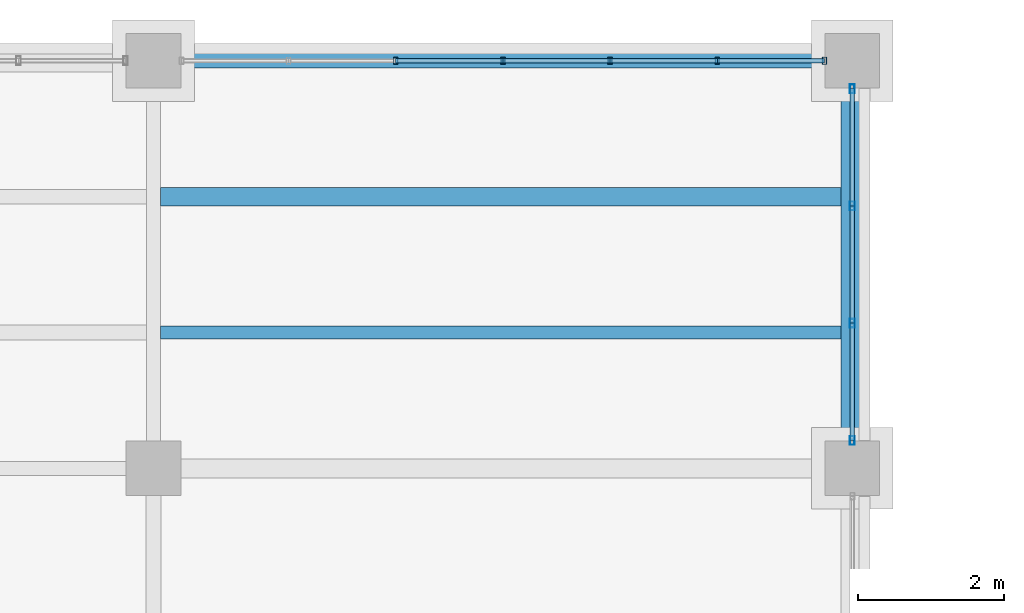
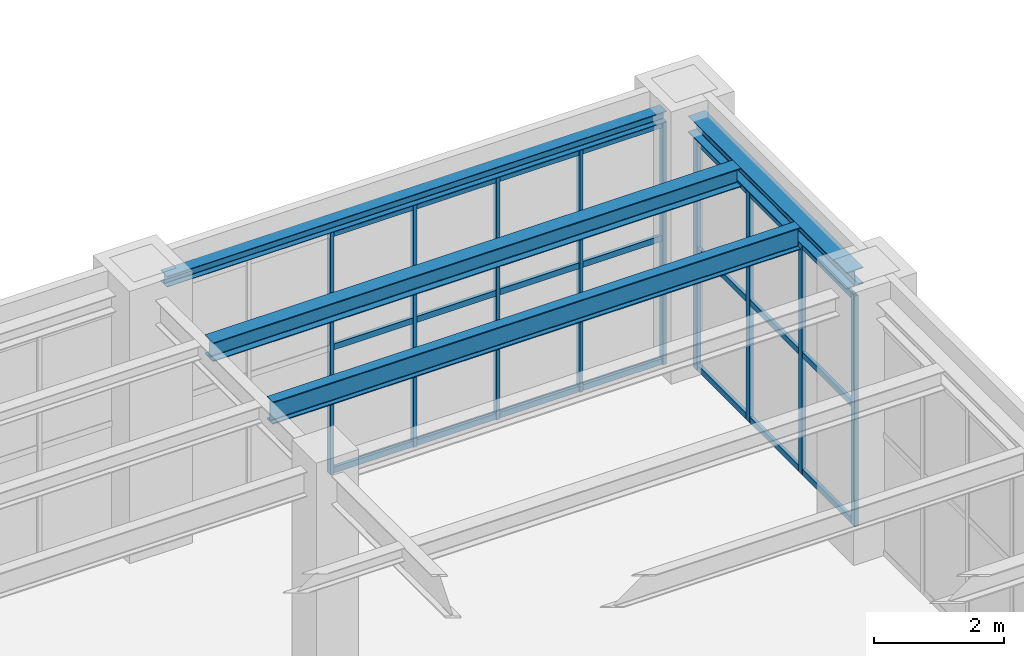
# One storey, part 81 of 174: 30 members, 4 beams, 2 elements without a shape of their own.
"""IFC4 building model written with IfcOpenShell, lengths in metres."""

from ifc_helpers import new_model, si_unit, direction, frame, origin, origin_2d, place, context, subcontext, project, spatial, hollow_rectangle, i_section, extrude, material, material_profile, profile_set, type_object, element, aggregate, save


model = new_model("IFC4")

# Units and contexts
model_context = context("Model", 3, precision=1e-05, world=origin(), true_north=direction((0.0, 1.0)))
body_context = subcontext(model_context, "Body", "Model", "MODEL_VIEW")
ifc_project = project(units=[si_unit("LENGTHUNIT", "METRE"), si_unit("AREAUNIT", "SQUARE_METRE"), si_unit("VOLUMEUNIT", "CUBIC_METRE"), si_unit("PLANEANGLEUNIT", "RADIAN"), si_unit("MASSUNIT", "GRAM", prefix="KILO")], contexts=[model_context])

# Site, building, storey
site_placement = place(None, origin())
site = spatial("IfcSite", under=ifc_project, at=site_placement, CompositionType="ELEMENT")
building_placement = place(site_placement, origin())
building = spatial("IfcBuilding", under=site, at=building_placement, Name="Mavantir Sound Aquarium", CompositionType="ELEMENT")
storey_placement = place(building_placement, frame((0.0, 0.0, 5.39990234375)))
storey = spatial("IfcBuildingStorey", under=building, at=storey_placement, Name="L01", CompositionType="ELEMENT", Elevation=5.39990234375)

# Beams
ifc_material_1 = material(Name="Structural Steel ASTM A992 Gr50", Category="steel")
ifc_material_profile_1 = material_profile(ifc_material_1, i_section(OverallWidth=0.202880859375, OverallDepth=0.202880859375, WebThickness=0.007080078125, FlangeThickness=0.010986328125, FilletRadius=0.010009765625, at=origin_2d()), Name="W200X46")
ifc_profile_set_1 = profile_set([ifc_material_profile_1], Name="Structural Steel ASTM A992 Gr50")
beam_type_1 = type_object("IfcBeamType", Name="BM-W200X46-E", PredefinedType="LINTEL", material=ifc_profile_set_1)
beam_1_placement = place(storey_placement, frame((29.175048828125, 116.0, 4.674560546875), z_axis=(1.0, 0.0, 0.0), x_axis=(0.0, 1.0, 0.0)))
element("IfcBeam", 1, at=beam_1_placement, inside=storey, type_object=beam_type_1, Name="L01 primary beam SL-20 1376", PredefinedType="LINTEL", context=body_context, shape_type="SweptSolid", body=[
    extrude(i_section(OverallWidth=0.202880859375, OverallDepth=0.202880859375, WebThickness=0.007080078125, FlangeThickness=0.010986328125, FilletRadius=0.010009765625, at=origin_2d()), origin(), (0.0, 0.0, 1.0), 8.849853515625),
])
ifc_material_profile_2 = material_profile(ifc_material_1, i_section(OverallWidth=0.304931640625, OverallDepth=0.30810546875, WebThickness=0.010009765625, FlangeThickness=0.015380859375, FilletRadius=0.014892578125, at=origin_2d()), Name="W310X97")
ifc_profile_set_2 = profile_set([ifc_material_profile_2], Name="Structural Steel ASTM A992 Gr50")
beam_type_2 = type_object("IfcBeamType", Name="BM-W310X97-E", PredefinedType="SPANDREL", material=ifc_profile_set_2)
beam_2_placement = place(storey_placement, frame((38.39990234375, 110.77490234375, 4.6220703125), z_axis=(0.0, 1.0, 0.0), x_axis=(-1.0, 0.0, 0.0)))
element("IfcBeam", 2, at=beam_2_placement, inside=storey, type_object=beam_type_2, Name="L01 primary girder SS-31A 1396", PredefinedType="SPANDREL", context=body_context, shape_type="SweptSolid", body=[
    extrude(i_section(OverallWidth=0.304931640625, OverallDepth=0.30810546875, WebThickness=0.010009765625, FlangeThickness=0.015380859375, FilletRadius=0.014892578125, at=origin_2d()), origin(), (0.0, 0.0, 1.0), 4.85009765625),
])
ifc_material_profile_3 = material_profile(ifc_material_1, i_section(OverallWidth=0.25390625, OverallDepth=0.35302734375, WebThickness=0.009521484375, FlangeThickness=0.016357421875, FilletRadius=0.014892578125, at=origin_2d()), Name="W360X91")
ifc_profile_set_3 = profile_set([ifc_material_profile_3], Name="Structural Steel ASTM A992 Gr50")
beam_type_3 = type_object("IfcBeamType", Name="BM-W360X91-I", PredefinedType="JOIST", material=ifc_profile_set_3)
beam_3_placement = place(storey_placement, frame((28.89697265625, 114.13330078125, 4.599609375), z_axis=(1.0, 0.0, 0.0), x_axis=(0.0, 1.0, 0.0)))
element("IfcBeam", 3, at=beam_3_placement, inside=storey, type_object=beam_type_3, Name="L01 secondary floor joist SJ-36 830", PredefinedType="JOIST", context=body_context, shape_type="SweptSolid", body=[
    extrude(i_section(OverallWidth=0.25390625, OverallDepth=0.35302734375, WebThickness=0.009521484375, FlangeThickness=0.016357421875, FilletRadius=0.014892578125, at=origin_2d()), origin(), (0.0, 0.0, 1.0), 9.3505859375),
])
ifc_material_profile_4 = material_profile(ifc_material_1, i_section(OverallWidth=0.180908203125, OverallDepth=0.4169921875, WebThickness=0.010986328125, FlangeThickness=0.018310546875, FilletRadius=0.014892578125, at=origin_2d()), Name="W410X85")
ifc_profile_set_4 = profile_set([ifc_material_profile_4], Name="Structural Steel ASTM A992 Gr50")
beam_type_4 = type_object("IfcBeamType", Name="BM-W410X85-I", PredefinedType="JOIST", material=ifc_profile_set_4)
beam_4_placement = place(storey_placement, frame((28.89697265625, 112.2666015625, 4.567626953125), z_axis=(1.0, 0.0, 0.0), x_axis=(0.0, 1.0, 0.0)))
element("IfcBeam", 4, at=beam_4_placement, inside=storey, type_object=beam_type_4, Name="L01 secondary floor joist SJ-41 829", PredefinedType="JOIST", context=body_context, shape_type="SweptSolid", body=[
    extrude(i_section(OverallWidth=0.180908203125, OverallDepth=0.4169921875, WebThickness=0.010986328125, FlangeThickness=0.018310546875, FilletRadius=0.014892578125, at=origin_2d()), origin(), (0.0, 0.0, 1.0), 9.3505859375),
])

# Curtain wall, members
ifc_material_2 = material(Name="Anodised Marine Aluminium and Low-E Glass", Category="aluminium")
curtain_wall_type_1 = type_object("IfcCurtainWallType", Name="CW-T21", PredefinedType="USERDEFINED", material=ifc_material_2)
curtain_wall_1_placement = place(storey_placement, origin())
curtain_wall_1 = element("IfcCurtainWall", 5, at=curtain_wall_1_placement, inside=storey, type_object=curtain_wall_type_1, Name="L01 unitised curtain wall CW-21 117", ObjectType="UNITISED GLAZING", PredefinedType="USERDEFINED")
ifc_material_3 = material(Name="Anodised Marine Aluminium 6063-T6", Category="aluminium")
ifc_material_profile_5 = material_profile(ifc_material_3, hollow_rectangle(XDim=0.06005859375, YDim=0.10009765625, WallThickness=0.00390625, at=origin_2d()), Name="ALU-MULLION-100X60")
ifc_profile_set_5 = profile_set([ifc_material_profile_5], Name="Anodised Marine Aluminium 6063-T6")
member_type_1 = type_object("IfcMemberType", Name="CW-MUL-100", PredefinedType="MULLION", material=ifc_profile_set_5)
member_1_placement = place(storey_placement, frame((38.01708984375, 116.0, 0.0), z_axis=(0.0, 0.0, 1.0), x_axis=(1.0, 0.0, 0.0)))
member_1 = element("IfcMember", 6, at=member_1_placement, type_object=member_type_1, Name="CW-L01-117 vertical mullion 1", PredefinedType="MULLION", context=body_context, shape_type="SweptSolid", body=[
    extrude(hollow_rectangle(XDim=0.06005859375, YDim=0.10009765625, WallThickness=0.00390625, at=origin_2d()), origin(), (0.0, 0.0, 1.0), 4.543212890625),
])
member_2_placement = place(storey_placement, frame((36.544677734375, 116.0, 0.0), z_axis=(0.0, 0.0, 1.0), x_axis=(1.0, 0.0, 0.0)))
member_2 = element("IfcMember", 7, at=member_2_placement, type_object=member_type_1, Name="CW-L01-117 vertical mullion 2", PredefinedType="MULLION", context=body_context, shape_type="SweptSolid", body=[
    extrude(hollow_rectangle(XDim=0.06005859375, YDim=0.10009765625, WallThickness=0.00390625, at=origin_2d()), origin(), (0.0, 0.0, 1.0), 4.543212890625),
])
member_3_placement = place(storey_placement, frame((35.072265625, 116.0, 0.0), z_axis=(0.0, 0.0, 1.0), x_axis=(1.0, 0.0, 0.0)))
member_3 = element("IfcMember", 8, at=member_3_placement, type_object=member_type_1, Name="CW-L01-117 vertical mullion 3", PredefinedType="MULLION", context=body_context, shape_type="SweptSolid", body=[
    extrude(hollow_rectangle(XDim=0.06005859375, YDim=0.10009765625, WallThickness=0.00390625, at=origin_2d()), origin(), (0.0, 0.0, 1.0), 4.543212890625),
])
member_4_placement = place(storey_placement, frame((33.60009765625, 116.0, 0.0), z_axis=(0.0, 0.0, 1.0), x_axis=(1.0, 0.0, 0.0)))
member_4 = element("IfcMember", 9, at=member_4_placement, type_object=member_type_1, Name="CW-L01-117 vertical mullion 4", PredefinedType="MULLION", context=body_context, shape_type="SweptSolid", body=[
    extrude(hollow_rectangle(XDim=0.06005859375, YDim=0.10009765625, WallThickness=0.00390625, at=origin_2d()), origin(), (0.0, 0.0, 1.0), 4.543212890625),
])
member_5_placement = place(storey_placement, frame((32.127685546875, 116.0, 0.0), z_axis=(0.0, 0.0, 1.0), x_axis=(1.0, 0.0, 0.0)))
member_5 = element("IfcMember", 10, at=member_5_placement, type_object=member_type_1, Name="CW-L01-117 vertical mullion 5", PredefinedType="MULLION", context=body_context, shape_type="SweptSolid", body=[
    extrude(hollow_rectangle(XDim=0.06005859375, YDim=0.10009765625, WallThickness=0.00390625, at=origin_2d()), origin(), (0.0, 0.0, 1.0), 4.543212890625),
])

curtain_wall_type_2 = type_object("IfcCurtainWallType", Name="CW-T20", PredefinedType="USERDEFINED", material=ifc_material_2)
curtain_wall_2_placement = place(storey_placement, origin())
curtain_wall_2 = element("IfcCurtainWall", 11, at=curtain_wall_2_placement, inside=storey, type_object=curtain_wall_type_2, Name="L01 unitised curtain wall CW-20 116", ObjectType="UNITISED GLAZING", PredefinedType="USERDEFINED")
ifc_material_profile_6 = material_profile(ifc_material_3, hollow_rectangle(XDim=0.06494140625, YDim=0.1201171875, WallThickness=0.00390625, at=origin_2d()), Name="ALU-MULLION-120X65")
ifc_profile_set_6 = profile_set([ifc_material_profile_6], Name="Anodised Marine Aluminium 6063-T6")
member_type_2 = type_object("IfcMemberType", Name="CW-MUL-120", PredefinedType="MULLION", material=ifc_profile_set_6)
member_6_placement = place(storey_placement, frame((38.39990234375, 110.782958984375, 0.0), z_axis=(0.0, 0.0, 1.0), x_axis=(1.0, 0.0, 0.0)))
member_6 = element("IfcMember", 12, at=member_6_placement, type_object=member_type_2, Name="CW-L01-116 vertical mullion 1", PredefinedType="MULLION", context=body_context, shape_type="SweptSolid", body=[
    extrude(hollow_rectangle(XDim=0.06494140625, YDim=0.1201171875, WallThickness=0.00390625, at=origin_2d()), origin(), (0.0, 0.0, 1.0), 4.3291015625),
])
member_7_placement = place(storey_placement, frame((38.39990234375, 112.394287109375, 0.0), z_axis=(0.0, 0.0, 1.0), x_axis=(1.0, 0.0, 0.0)))
member_7 = element("IfcMember", 13, at=member_7_placement, type_object=member_type_2, Name="CW-L01-116 vertical mullion 2", PredefinedType="MULLION", context=body_context, shape_type="SweptSolid", body=[
    extrude(hollow_rectangle(XDim=0.06494140625, YDim=0.1201171875, WallThickness=0.00390625, at=origin_2d()), origin(), (0.0, 0.0, 1.0), 4.3291015625),
])
member_8_placement = place(storey_placement, frame((38.39990234375, 114.005615234375, 0.0), z_axis=(0.0, 0.0, 1.0), x_axis=(1.0, 0.0, 0.0)))
member_8 = element("IfcMember", 14, at=member_8_placement, type_object=member_type_2, Name="CW-L01-116 vertical mullion 3", PredefinedType="MULLION", context=body_context, shape_type="SweptSolid", body=[
    extrude(hollow_rectangle(XDim=0.06494140625, YDim=0.1201171875, WallThickness=0.00390625, at=origin_2d()), origin(), (0.0, 0.0, 1.0), 4.3291015625),
])
member_9_placement = place(storey_placement, frame((38.39990234375, 115.616943359375, 0.0), z_axis=(0.0, 0.0, 1.0), x_axis=(1.0, 0.0, 0.0)))
member_9 = element("IfcMember", 15, at=member_9_placement, type_object=member_type_2, Name="CW-L01-116 vertical mullion 4", PredefinedType="MULLION", context=body_context, shape_type="SweptSolid", body=[
    extrude(hollow_rectangle(XDim=0.06494140625, YDim=0.1201171875, WallThickness=0.00390625, at=origin_2d()), origin(), (0.0, 0.0, 1.0), 4.3291015625),
])
ifc_material_profile_7 = material_profile(ifc_material_3, hollow_rectangle(XDim=0.06005859375, YDim=0.110107421875, WallThickness=0.00390625, at=origin_2d()), Name="ALU-TRANSOM-110X60")
ifc_profile_set_7 = profile_set([ifc_material_profile_7], Name="Anodised Marine Aluminium 6063-T6")
member_type_3 = type_object("IfcMemberType", Name="CW-TRN-110", PredefinedType="USERDEFINED", material=ifc_profile_set_7)
member_10_placement = place(storey_placement, frame((38.39990234375, 110.782958984375, 0.05517578125), z_axis=(0.0, 1.0, 0.0), x_axis=(-1.0, 0.0, 0.0)))
member_10 = element("IfcMember", 16, at=member_10_placement, type_object=member_type_3, Name="CW-L01-116 transom 1.1", ObjectType="TRANSOM", PredefinedType="USERDEFINED", context=body_context, shape_type="SweptSolid", body=[
    extrude(hollow_rectangle(XDim=0.06005859375, YDim=0.110107421875, WallThickness=0.00390625, at=origin_2d()), origin(), (0.0, 0.0, 1.0), 1.611328125),
])
member_11_placement = place(storey_placement, frame((38.39990234375, 110.782958984375, 2.251220703125), z_axis=(0.0, 1.0, 0.0), x_axis=(-1.0, 0.0, 0.0)))
member_11 = element("IfcMember", 17, at=member_11_placement, type_object=member_type_3, Name="CW-L01-116 transom 1.2", ObjectType="TRANSOM", PredefinedType="USERDEFINED", context=body_context, shape_type="SweptSolid", body=[
    extrude(hollow_rectangle(XDim=0.06005859375, YDim=0.110107421875, WallThickness=0.00390625, at=origin_2d()), origin(), (0.0, 0.0, 1.0), 1.611328125),
])
member_12_placement = place(storey_placement, frame((38.39990234375, 110.782958984375, 4.274169921875), z_axis=(0.0, 1.0, 0.0), x_axis=(-1.0, 0.0, 0.0)))
member_12 = element("IfcMember", 18, at=member_12_placement, type_object=member_type_3, Name="CW-L01-116 transom 1.3", ObjectType="TRANSOM", PredefinedType="USERDEFINED", context=body_context, shape_type="SweptSolid", body=[
    extrude(hollow_rectangle(XDim=0.06005859375, YDim=0.110107421875, WallThickness=0.00390625, at=origin_2d()), origin(), (0.0, 0.0, 1.0), 1.611328125),
])
member_13_placement = place(storey_placement, frame((38.39990234375, 112.394287109375, 0.05517578125), z_axis=(0.0, 1.0, 0.0), x_axis=(-1.0, 0.0, 0.0)))
member_13 = element("IfcMember", 19, at=member_13_placement, type_object=member_type_3, Name="CW-L01-116 transom 2.1", ObjectType="TRANSOM", PredefinedType="USERDEFINED", context=body_context, shape_type="SweptSolid", body=[
    extrude(hollow_rectangle(XDim=0.06005859375, YDim=0.110107421875, WallThickness=0.00390625, at=origin_2d()), origin(), (0.0, 0.0, 1.0), 1.611328125),
])
member_14_placement = place(storey_placement, frame((38.39990234375, 112.394287109375, 2.251220703125), z_axis=(0.0, 1.0, 0.0), x_axis=(-1.0, 0.0, 0.0)))
member_14 = element("IfcMember", 20, at=member_14_placement, type_object=member_type_3, Name="CW-L01-116 transom 2.2", ObjectType="TRANSOM", PredefinedType="USERDEFINED", context=body_context, shape_type="SweptSolid", body=[
    extrude(hollow_rectangle(XDim=0.06005859375, YDim=0.110107421875, WallThickness=0.00390625, at=origin_2d()), origin(), (0.0, 0.0, 1.0), 1.611328125),
])
member_15_placement = place(storey_placement, frame((38.39990234375, 112.394287109375, 4.274169921875), z_axis=(0.0, 1.0, 0.0), x_axis=(-1.0, 0.0, 0.0)))
member_15 = element("IfcMember", 21, at=member_15_placement, type_object=member_type_3, Name="CW-L01-116 transom 2.3", ObjectType="TRANSOM", PredefinedType="USERDEFINED", context=body_context, shape_type="SweptSolid", body=[
    extrude(hollow_rectangle(XDim=0.06005859375, YDim=0.110107421875, WallThickness=0.00390625, at=origin_2d()), origin(), (0.0, 0.0, 1.0), 1.611328125),
])
member_16_placement = place(storey_placement, frame((38.39990234375, 114.005615234375, 0.05517578125), z_axis=(0.0, 1.0, 0.0), x_axis=(-1.0, 0.0, 0.0)))
member_16 = element("IfcMember", 22, at=member_16_placement, type_object=member_type_3, Name="CW-L01-116 transom 3.1", ObjectType="TRANSOM", PredefinedType="USERDEFINED", context=body_context, shape_type="SweptSolid", body=[
    extrude(hollow_rectangle(XDim=0.06005859375, YDim=0.110107421875, WallThickness=0.00390625, at=origin_2d()), origin(), (0.0, 0.0, 1.0), 1.611328125),
])
member_17_placement = place(storey_placement, frame((38.39990234375, 114.005615234375, 2.251220703125), z_axis=(0.0, 1.0, 0.0), x_axis=(-1.0, 0.0, 0.0)))
member_17 = element("IfcMember", 23, at=member_17_placement, type_object=member_type_3, Name="CW-L01-116 transom 3.2", ObjectType="TRANSOM", PredefinedType="USERDEFINED", context=body_context, shape_type="SweptSolid", body=[
    extrude(hollow_rectangle(XDim=0.06005859375, YDim=0.110107421875, WallThickness=0.00390625, at=origin_2d()), origin(), (0.0, 0.0, 1.0), 1.611328125),
])
member_18_placement = place(storey_placement, frame((38.39990234375, 114.005615234375, 4.274169921875), z_axis=(0.0, 1.0, 0.0), x_axis=(-1.0, 0.0, 0.0)))
member_18 = element("IfcMember", 24, at=member_18_placement, type_object=member_type_3, Name="CW-L01-116 transom 3.3", ObjectType="TRANSOM", PredefinedType="USERDEFINED", context=body_context, shape_type="SweptSolid", body=[
    extrude(hollow_rectangle(XDim=0.06005859375, YDim=0.110107421875, WallThickness=0.00390625, at=origin_2d()), origin(), (0.0, 0.0, 1.0), 1.611328125),
])
aggregate(curtain_wall_2, [member_6, member_7, member_8, member_9, member_10, member_11, member_12, member_13, member_14, member_15, member_16, member_17, member_18])

# Member
member_19_placement = place(storey_placement, frame((38.01708984375, 116.0, 0.05517578125), z_axis=(-1.0, 0.0, 0.0), x_axis=(0.0, -1.0, 0.0)))
member_19 = element("IfcMember", 25, at=member_19_placement, type_object=member_type_3, Name="CW-L01-117 transom 1.1", ObjectType="TRANSOM", PredefinedType="USERDEFINED", context=body_context, shape_type="SweptSolid", body=[
    extrude(hollow_rectangle(XDim=0.06005859375, YDim=0.110107421875, WallThickness=0.00390625, at=origin_2d()), origin(), (0.0, 0.0, 1.0), 1.472412109375),
])

member_20_placement = place(storey_placement, frame((38.01708984375, 116.0, 2.362548828125), z_axis=(-1.0, 0.0, 0.0), x_axis=(0.0, -1.0, 0.0)))
member_20 = element("IfcMember", 26, at=member_20_placement, type_object=member_type_3, Name="CW-L01-117 transom 1.2", ObjectType="TRANSOM", PredefinedType="USERDEFINED", context=body_context, shape_type="SweptSolid", body=[
    extrude(hollow_rectangle(XDim=0.06005859375, YDim=0.110107421875, WallThickness=0.00390625, at=origin_2d()), origin(), (0.0, 0.0, 1.0), 1.472412109375),
])

member_21_placement = place(storey_placement, frame((38.01708984375, 116.0, 4.488037109375), z_axis=(-1.0, 0.0, 0.0), x_axis=(0.0, -1.0, 0.0)))
member_21 = element("IfcMember", 27, at=member_21_placement, type_object=member_type_3, Name="CW-L01-117 transom 1.3", ObjectType="TRANSOM", PredefinedType="USERDEFINED", context=body_context, shape_type="SweptSolid", body=[
    extrude(hollow_rectangle(XDim=0.06005859375, YDim=0.110107421875, WallThickness=0.00390625, at=origin_2d()), origin(), (0.0, 0.0, 1.0), 1.472412109375),
])

member_22_placement = place(storey_placement, frame((36.544677734375, 116.0, 0.05517578125), z_axis=(-1.0, 0.0, 0.0), x_axis=(0.0, -1.0, 0.0)))
member_22 = element("IfcMember", 28, at=member_22_placement, type_object=member_type_3, Name="CW-L01-117 transom 2.1", ObjectType="TRANSOM", PredefinedType="USERDEFINED", context=body_context, shape_type="SweptSolid", body=[
    extrude(hollow_rectangle(XDim=0.06005859375, YDim=0.110107421875, WallThickness=0.00390625, at=origin_2d()), origin(), (0.0, 0.0, 1.0), 1.472412109375),
])

member_23_placement = place(storey_placement, frame((36.544677734375, 116.0, 2.362548828125), z_axis=(-1.0, 0.0, 0.0), x_axis=(0.0, -1.0, 0.0)))
member_23 = element("IfcMember", 29, at=member_23_placement, type_object=member_type_3, Name="CW-L01-117 transom 2.2", ObjectType="TRANSOM", PredefinedType="USERDEFINED", context=body_context, shape_type="SweptSolid", body=[
    extrude(hollow_rectangle(XDim=0.06005859375, YDim=0.110107421875, WallThickness=0.00390625, at=origin_2d()), origin(), (0.0, 0.0, 1.0), 1.472412109375),
])

member_24_placement = place(storey_placement, frame((36.544677734375, 116.0, 4.488037109375), z_axis=(-1.0, 0.0, 0.0), x_axis=(0.0, -1.0, 0.0)))
member_24 = element("IfcMember", 30, at=member_24_placement, type_object=member_type_3, Name="CW-L01-117 transom 2.3", ObjectType="TRANSOM", PredefinedType="USERDEFINED", context=body_context, shape_type="SweptSolid", body=[
    extrude(hollow_rectangle(XDim=0.06005859375, YDim=0.110107421875, WallThickness=0.00390625, at=origin_2d()), origin(), (0.0, 0.0, 1.0), 1.472412109375),
])

member_25_placement = place(storey_placement, frame((35.072265625, 116.0, 0.05517578125), z_axis=(-1.0, 0.0, 0.0), x_axis=(0.0, -1.0, 0.0)))
member_25 = element("IfcMember", 31, at=member_25_placement, type_object=member_type_3, Name="CW-L01-117 transom 3.1", ObjectType="TRANSOM", PredefinedType="USERDEFINED", context=body_context, shape_type="SweptSolid", body=[
    extrude(hollow_rectangle(XDim=0.06005859375, YDim=0.110107421875, WallThickness=0.00390625, at=origin_2d()), origin(), (0.0, 0.0, 1.0), 1.47216796875),
])

member_26_placement = place(storey_placement, frame((35.072265625, 116.0, 2.362548828125), z_axis=(-1.0, 0.0, 0.0), x_axis=(0.0, -1.0, 0.0)))
member_26 = element("IfcMember", 32, at=member_26_placement, type_object=member_type_3, Name="CW-L01-117 transom 3.2", ObjectType="TRANSOM", PredefinedType="USERDEFINED", context=body_context, shape_type="SweptSolid", body=[
    extrude(hollow_rectangle(XDim=0.06005859375, YDim=0.110107421875, WallThickness=0.00390625, at=origin_2d()), origin(), (0.0, 0.0, 1.0), 1.47216796875),
])

member_27_placement = place(storey_placement, frame((35.072265625, 116.0, 4.488037109375), z_axis=(-1.0, 0.0, 0.0), x_axis=(0.0, -1.0, 0.0)))
member_27 = element("IfcMember", 33, at=member_27_placement, type_object=member_type_3, Name="CW-L01-117 transom 3.3", ObjectType="TRANSOM", PredefinedType="USERDEFINED", context=body_context, shape_type="SweptSolid", body=[
    extrude(hollow_rectangle(XDim=0.06005859375, YDim=0.110107421875, WallThickness=0.00390625, at=origin_2d()), origin(), (0.0, 0.0, 1.0), 1.47216796875),
])

member_28_placement = place(storey_placement, frame((33.60009765625, 116.0, 0.05517578125), z_axis=(-1.0, 0.0, 0.0), x_axis=(0.0, -1.0, 0.0)))
member_28 = element("IfcMember", 34, at=member_28_placement, type_object=member_type_3, Name="CW-L01-117 transom 4.1", ObjectType="TRANSOM", PredefinedType="USERDEFINED", context=body_context, shape_type="SweptSolid", body=[
    extrude(hollow_rectangle(XDim=0.06005859375, YDim=0.110107421875, WallThickness=0.00390625, at=origin_2d()), origin(), (0.0, 0.0, 1.0), 1.472412109375),
])

member_29_placement = place(storey_placement, frame((33.60009765625, 116.0, 2.362548828125), z_axis=(-1.0, 0.0, 0.0), x_axis=(0.0, -1.0, 0.0)))
member_29 = element("IfcMember", 35, at=member_29_placement, type_object=member_type_3, Name="CW-L01-117 transom 4.2", ObjectType="TRANSOM", PredefinedType="USERDEFINED", context=body_context, shape_type="SweptSolid", body=[
    extrude(hollow_rectangle(XDim=0.06005859375, YDim=0.110107421875, WallThickness=0.00390625, at=origin_2d()), origin(), (0.0, 0.0, 1.0), 1.472412109375),
])

member_30_placement = place(storey_placement, frame((33.60009765625, 116.0, 4.488037109375), z_axis=(-1.0, 0.0, 0.0), x_axis=(0.0, -1.0, 0.0)))
member_30 = element("IfcMember", 36, at=member_30_placement, type_object=member_type_3, Name="CW-L01-117 transom 4.3", ObjectType="TRANSOM", PredefinedType="USERDEFINED", context=body_context, shape_type="SweptSolid", body=[
    extrude(hollow_rectangle(XDim=0.06005859375, YDim=0.110107421875, WallThickness=0.00390625, at=origin_2d()), origin(), (0.0, 0.0, 1.0), 1.472412109375),
])

aggregate(curtain_wall_1, [member_1, member_2, member_3, member_4, member_5, member_19, member_20, member_21, member_22, member_23, member_24, member_25, member_26, member_27, member_28, member_29, member_30])

save(model, "model.ifc")
